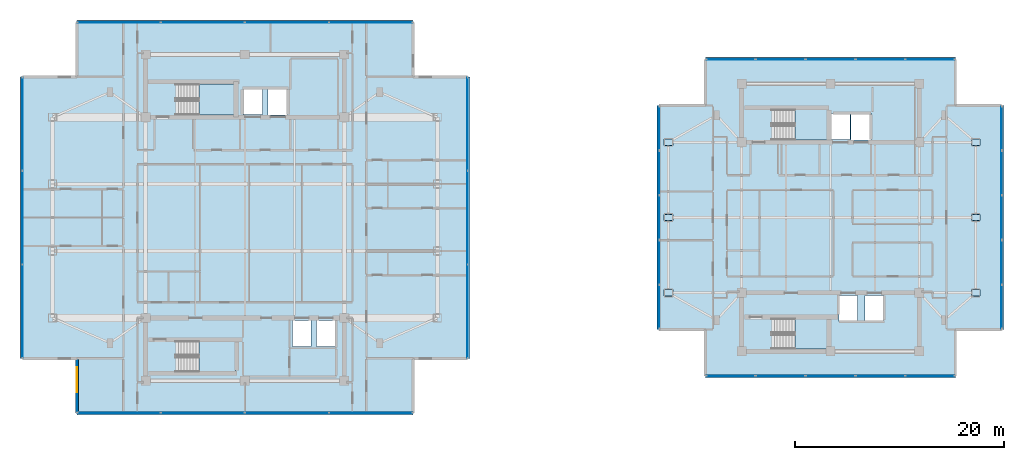
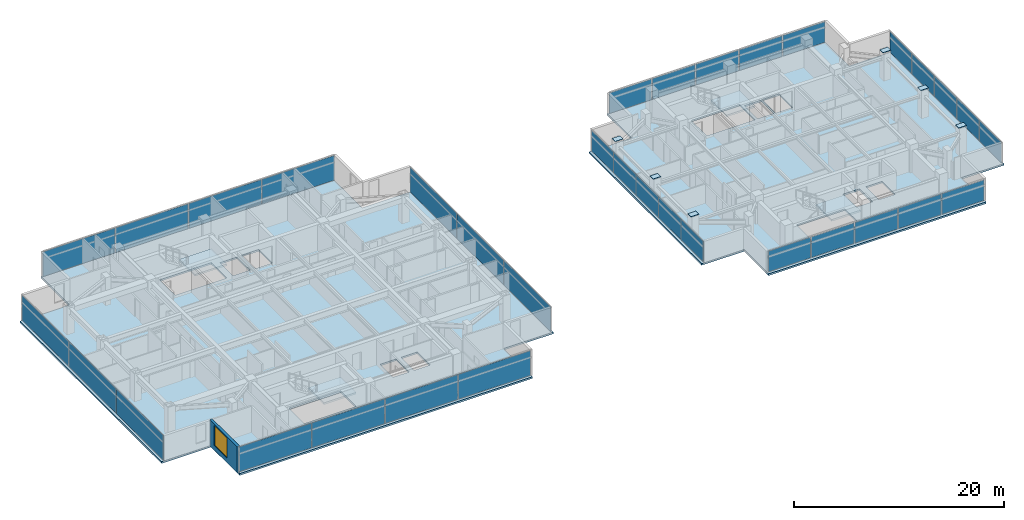
# One storey, part 10 of 21: 40 plates, 6 slabs, 1 wall, 1 window, 1 opening, 12 elements without a shape of their own.
"""IFC4 building model written with IfcOpenShell, lengths in metres."""

from ifc_helpers import new_model, si_unit, direction, frame, frame_2d, origin, origin_2d, place, context, subcontext, project, spatial, polyline, rectangle, outline, extrude, material, layer, layer_set, type_object, element, fill, aggregate, save


model = new_model("IFC4")

# Units and contexts
model_context = context("Model", 3, precision=1e-05, world=origin(), true_north=direction((0.0, 1.0)))
body_context = subcontext(model_context, "Body", "Model", "MODEL_VIEW")
ifc_project = project(units=[si_unit("LENGTHUNIT", "METRE"), si_unit("AREAUNIT", "SQUARE_METRE"), si_unit("VOLUMEUNIT", "CUBIC_METRE"), si_unit("PLANEANGLEUNIT", "RADIAN"), si_unit("MASSUNIT", "GRAM", prefix="KILO")], contexts=[model_context])

# Site, building, storey
site_placement = place(None, origin())
site = spatial("IfcSite", under=ifc_project, at=site_placement, CompositionType="ELEMENT")
building_placement = place(site_placement, origin())
building = spatial("IfcBuilding", under=site, at=building_placement, Name="Mirazonda Arch Towers", CompositionType="ELEMENT")
storey_placement = place(building_placement, frame((0.0, 0.0, 206.39990234375)))
storey = spatial("IfcBuildingStorey", under=building, at=storey_placement, Name="L59", CompositionType="ELEMENT", Elevation=206.39990234375)

# Curtain wall, plates
ifc_material_1 = material(Name="Anodised Aluminium and Low-E Glass", Category="aluminium")
curtain_wall_type_1 = type_object("IfcCurtainWallType", Name="CW-OBS-LANTERN", PredefinedType="NOTDEFINED", material=ifc_material_1)
curtain_wall_1_placement = place(storey_placement, origin())
curtain_wall_1 = element("IfcCurtainWall", 1, at=curtain_wall_1_placement, inside=storey, type_object=curtain_wall_type_1, Name="L59 T2 S Facade CW-L59-T2-S", PredefinedType="NOTDEFINED")
ifc_material_2 = material(Name="Insulated Low-E Solar Glass", Category="glass")
ifc_layer_1 = layer(ifc_material_2, 0.048095703125, Name="PAN-CW-OBS-LANTERN")
ifc_layer_set_1 = layer_set([ifc_layer_1], Name="Insulated Low-E Solar Glass")
plate_type_1 = type_object("IfcPlateType", Name="PAN-CW-OBS-LANTERN", PredefinedType="CURTAIN_PANEL", material=ifc_layer_set_1)
plate_1_placement = place(storey_placement, frame((86.02783203125, 12.861572265625, 0.090087890625), z_axis=(0.0, 0.0, 1.0), x_axis=(-1.0, 0.0, 0.0)))
plate_1 = element("IfcPlate", 2, at=plate_1_placement, type_object=plate_type_1, Name="CW-110 panel 1.1", PredefinedType="CURTAIN_PANEL", context=body_context, shape_type="SweptSolid", body=[
    extrude(rectangle(XDim=4.64013671875, YDim=0.048095703125, at=origin_2d()), origin(), (0.0, 0.0, 1.0), 2.39990234375),
])
plate_2_placement = place(storey_placement, frame((81.275146484375, 12.861572265625, 0.090087890625), z_axis=(0.0, 0.0, 1.0), x_axis=(-1.0, 0.0, 0.0)))
plate_2 = element("IfcPlate", 3, at=plate_2_placement, type_object=plate_type_1, Name="CW-110 panel 2.1", PredefinedType="CURTAIN_PANEL", context=body_context, shape_type="SweptSolid", body=[
    extrude(rectangle(XDim=4.68505859375, YDim=0.048095703125, at=origin_2d()), origin(), (0.0, 0.0, 1.0), 2.39990234375),
])
plate_3_placement = place(storey_placement, frame((76.5, 12.861572265625, 0.090087890625), z_axis=(0.0, 0.0, 1.0), x_axis=(-1.0, 0.0, 0.0)))
plate_3 = element("IfcPlate", 4, at=plate_3_placement, type_object=plate_type_1, Name="CW-110 panel 3.1", PredefinedType="CURTAIN_PANEL", context=body_context, shape_type="SweptSolid", body=[
    extrude(rectangle(XDim=4.68505859375, YDim=0.048095703125, at=origin_2d()), origin(), (0.0, 0.0, 1.0), 2.39990234375),
])
plate_4_placement = place(storey_placement, frame((71.724853515625, 12.861572265625, 0.090087890625), z_axis=(0.0, 0.0, 1.0), x_axis=(-1.0, 0.0, 0.0)))
plate_4 = element("IfcPlate", 5, at=plate_4_placement, type_object=plate_type_1, Name="CW-110 panel 4.1", PredefinedType="CURTAIN_PANEL", context=body_context, shape_type="SweptSolid", body=[
    extrude(rectangle(XDim=4.68505859375, YDim=0.048095703125, at=origin_2d()), origin(), (0.0, 0.0, 1.0), 2.39990234375),
])
plate_5_placement = place(storey_placement, frame((66.97216796875, 12.861572265625, 0.090087890625), z_axis=(0.0, 0.0, 1.0), x_axis=(-1.0, 0.0, 0.0)))
plate_5 = element("IfcPlate", 6, at=plate_5_placement, type_object=plate_type_1, Name="CW-110 panel 5.1", PredefinedType="CURTAIN_PANEL", context=body_context, shape_type="SweptSolid", body=[
    extrude(rectangle(XDim=4.64013671875, YDim=0.048095703125, at=origin_2d()), origin(), (0.0, 0.0, 1.0), 2.39990234375),
])
aggregate(curtain_wall_1, [plate_1, plate_2, plate_3, plate_4, plate_5])

curtain_wall_2_placement = place(storey_placement, origin())
curtain_wall_2 = element("IfcCurtainWall", 7, at=curtain_wall_2_placement, inside=storey, type_object=curtain_wall_type_1, Name="L59 T2 E Facade CW-L59-T2-E", PredefinedType="NOTDEFINED")
plate_6_placement = place(storey_placement, frame((92.87744140625, 19.46337890625, 0.090087890625), z_axis=(0.0, 0.0, 1.0), x_axis=(0.0, 1.0, 0.0)))
plate_6 = element("IfcPlate", 8, at=plate_6_placement, type_object=plate_type_1, Name="CW-110 panel 1.1", PredefinedType="CURTAIN_PANEL", context=body_context, shape_type="SweptSolid", body=[
    extrude(rectangle(XDim=4.14453125, YDim=0.048095703125, at=origin_2d()), origin(), (0.0, 0.0, 1.0), 2.39990234375),
])
plate_7_placement = place(storey_placement, frame((92.87744140625, 23.720458984375, 0.090087890625), z_axis=(0.0, 0.0, 1.0), x_axis=(0.0, 1.0, 0.0)))
plate_7 = element("IfcPlate", 9, at=plate_7_placement, type_object=plate_type_1, Name="CW-110 panel 2.1", PredefinedType="CURTAIN_PANEL", context=body_context, shape_type="SweptSolid", body=[
    extrude(rectangle(XDim=4.189453125, YDim=0.048095703125, at=origin_2d()), origin(), (0.0, 0.0, 1.0), 2.39990234375),
])
plate_8_placement = place(storey_placement, frame((92.87744140625, 28.0, 0.090087890625), z_axis=(0.0, 0.0, 1.0), x_axis=(0.0, 1.0, 0.0)))
plate_8 = element("IfcPlate", 10, at=plate_8_placement, type_object=plate_type_1, Name="CW-110 panel 3.1", PredefinedType="CURTAIN_PANEL", context=body_context, shape_type="SweptSolid", body=[
    extrude(rectangle(XDim=4.189453125, YDim=0.048095703125, at=origin_2d()), origin(), (0.0, 0.0, 1.0), 2.39990234375),
])
plate_9_placement = place(storey_placement, frame((92.87744140625, 32.279541015625, 0.090087890625), z_axis=(0.0, 0.0, 1.0), x_axis=(0.0, 1.0, 0.0)))
plate_9 = element("IfcPlate", 11, at=plate_9_placement, type_object=plate_type_1, Name="CW-110 panel 4.1", PredefinedType="CURTAIN_PANEL", context=body_context, shape_type="SweptSolid", body=[
    extrude(rectangle(XDim=4.189453125, YDim=0.048095703125, at=origin_2d()), origin(), (0.0, 0.0, 1.0), 2.39990234375),
])
plate_10_placement = place(storey_placement, frame((92.87744140625, 36.53662109375, 0.090087890625), z_axis=(0.0, 0.0, 1.0), x_axis=(0.0, 1.0, 0.0)))
plate_10 = element("IfcPlate", 12, at=plate_10_placement, type_object=plate_type_1, Name="CW-110 panel 5.1", PredefinedType="CURTAIN_PANEL", context=body_context, shape_type="SweptSolid", body=[
    extrude(rectangle(XDim=4.14453125, YDim=0.048095703125, at=origin_2d()), origin(), (0.0, 0.0, 1.0), 2.39990234375),
])
aggregate(curtain_wall_2, [plate_6, plate_7, plate_8, plate_9, plate_10])

curtain_wall_3_placement = place(storey_placement, origin())
curtain_wall_3 = element("IfcCurtainWall", 13, at=curtain_wall_3_placement, inside=storey, type_object=curtain_wall_type_1, Name="L59 T2 N Facade CW-L59-T2-N", PredefinedType="NOTDEFINED")
plate_11_placement = place(storey_placement, frame((66.97216796875, 43.138427734375, 0.090087890625), z_axis=(0.0, 0.0, 1.0), x_axis=(1.0, 0.0, 0.0)))
plate_11 = element("IfcPlate", 14, at=plate_11_placement, type_object=plate_type_1, Name="CW-110 panel 1.1", PredefinedType="CURTAIN_PANEL", context=body_context, shape_type="SweptSolid", body=[
    extrude(rectangle(XDim=4.64013671875, YDim=0.048095703125, at=origin_2d()), origin(), (0.0, 0.0, 1.0), 2.39990234375),
])
plate_12_placement = place(storey_placement, frame((71.724853515625, 43.138427734375, 0.090087890625), z_axis=(0.0, 0.0, 1.0), x_axis=(1.0, 0.0, 0.0)))
plate_12 = element("IfcPlate", 15, at=plate_12_placement, type_object=plate_type_1, Name="CW-110 panel 2.1", PredefinedType="CURTAIN_PANEL", context=body_context, shape_type="SweptSolid", body=[
    extrude(rectangle(XDim=4.68505859375, YDim=0.048095703125, at=origin_2d()), origin(), (0.0, 0.0, 1.0), 2.39990234375),
])
plate_13_placement = place(storey_placement, frame((76.5, 43.138427734375, 0.090087890625), z_axis=(0.0, 0.0, 1.0), x_axis=(1.0, 0.0, 0.0)))
plate_13 = element("IfcPlate", 16, at=plate_13_placement, type_object=plate_type_1, Name="CW-110 panel 3.1", PredefinedType="CURTAIN_PANEL", context=body_context, shape_type="SweptSolid", body=[
    extrude(rectangle(XDim=4.68505859375, YDim=0.048095703125, at=origin_2d()), origin(), (0.0, 0.0, 1.0), 2.39990234375),
])
plate_14_placement = place(storey_placement, frame((81.275146484375, 43.138427734375, 0.090087890625), z_axis=(0.0, 0.0, 1.0), x_axis=(1.0, 0.0, 0.0)))
plate_14 = element("IfcPlate", 17, at=plate_14_placement, type_object=plate_type_1, Name="CW-110 panel 4.1", PredefinedType="CURTAIN_PANEL", context=body_context, shape_type="SweptSolid", body=[
    extrude(rectangle(XDim=4.68505859375, YDim=0.048095703125, at=origin_2d()), origin(), (0.0, 0.0, 1.0), 2.39990234375),
])
plate_15_placement = place(storey_placement, frame((86.02783203125, 43.138427734375, 0.090087890625), z_axis=(0.0, 0.0, 1.0), x_axis=(1.0, 0.0, 0.0)))
plate_15 = element("IfcPlate", 18, at=plate_15_placement, type_object=plate_type_1, Name="CW-110 panel 5.1", PredefinedType="CURTAIN_PANEL", context=body_context, shape_type="SweptSolid", body=[
    extrude(rectangle(XDim=4.64013671875, YDim=0.048095703125, at=origin_2d()), origin(), (0.0, 0.0, 1.0), 2.39990234375),
])
aggregate(curtain_wall_3, [plate_11, plate_12, plate_13, plate_14, plate_15])

curtain_wall_4_placement = place(storey_placement, origin())
curtain_wall_4 = element("IfcCurtainWall", 19, at=curtain_wall_4_placement, inside=storey, type_object=curtain_wall_type_1, Name="L59 T2 W Facade CW-L59-T2-W", PredefinedType="NOTDEFINED")
plate_16_placement = place(storey_placement, frame((60.12255859375, 36.53662109375, 0.090087890625), z_axis=(0.0, 0.0, 1.0), x_axis=(0.0, -1.0, 0.0)))
plate_16 = element("IfcPlate", 20, at=plate_16_placement, type_object=plate_type_1, Name="CW-110 panel 1.1", PredefinedType="CURTAIN_PANEL", context=body_context, shape_type="SweptSolid", body=[
    extrude(rectangle(XDim=4.14453125, YDim=0.048095703125, at=origin_2d()), origin(), (0.0, 0.0, 1.0), 2.39990234375),
])
plate_17_placement = place(storey_placement, frame((60.12255859375, 32.279541015625, 0.090087890625), z_axis=(0.0, 0.0, 1.0), x_axis=(0.0, -1.0, 0.0)))
plate_17 = element("IfcPlate", 21, at=plate_17_placement, type_object=plate_type_1, Name="CW-110 panel 2.1", PredefinedType="CURTAIN_PANEL", context=body_context, shape_type="SweptSolid", body=[
    extrude(rectangle(XDim=4.189453125, YDim=0.048095703125, at=origin_2d()), origin(), (0.0, 0.0, 1.0), 2.39990234375),
])
plate_18_placement = place(storey_placement, frame((60.12255859375, 28.0, 0.090087890625), z_axis=(0.0, 0.0, 1.0), x_axis=(0.0, -1.0, 0.0)))
plate_18 = element("IfcPlate", 22, at=plate_18_placement, type_object=plate_type_1, Name="CW-110 panel 3.1", PredefinedType="CURTAIN_PANEL", context=body_context, shape_type="SweptSolid", body=[
    extrude(rectangle(XDim=4.189453125, YDim=0.048095703125, at=origin_2d()), origin(), (0.0, 0.0, 1.0), 2.39990234375),
])
plate_19_placement = place(storey_placement, frame((60.12255859375, 23.720458984375, 0.090087890625), z_axis=(0.0, 0.0, 1.0), x_axis=(0.0, -1.0, 0.0)))
plate_19 = element("IfcPlate", 23, at=plate_19_placement, type_object=plate_type_1, Name="CW-110 panel 4.1", PredefinedType="CURTAIN_PANEL", context=body_context, shape_type="SweptSolid", body=[
    extrude(rectangle(XDim=4.189453125, YDim=0.048095703125, at=origin_2d()), origin(), (0.0, 0.0, 1.0), 2.39990234375),
])
plate_20_placement = place(storey_placement, frame((60.12255859375, 19.46337890625, 0.090087890625), z_axis=(0.0, 0.0, 1.0), x_axis=(0.0, -1.0, 0.0)))
plate_20 = element("IfcPlate", 24, at=plate_20_placement, type_object=plate_type_1, Name="CW-110 panel 5.1", PredefinedType="CURTAIN_PANEL", context=body_context, shape_type="SweptSolid", body=[
    extrude(rectangle(XDim=4.14453125, YDim=0.048095703125, at=origin_2d()), origin(), (0.0, 0.0, 1.0), 2.39990234375),
])
aggregate(curtain_wall_4, [plate_16, plate_17, plate_18, plate_19, plate_20])

curtain_wall_type_2 = type_object("IfcCurtainWallType", Name="CW-RES-UNIT", PredefinedType="NOTDEFINED", material=ifc_material_1)
curtain_wall_5_placement = place(storey_placement, origin())
curtain_wall_5 = element("IfcCurtainWall", 25, at=curtain_wall_5_placement, inside=storey, type_object=curtain_wall_type_2, Name="L59 T1 S Facade CW-L59-T1-S", PredefinedType="NOTDEFINED")
ifc_layer_2 = layer(ifc_material_2, 0.0400390625, Name="PAN-CW-RES-UNIT")
ifc_layer_set_2 = layer_set([ifc_layer_2], Name="Insulated Low-E Solar Glass")
plate_type_2 = type_object("IfcPlateType", Name="PAN-CW-RES-UNIT", PredefinedType="CURTAIN_PANEL", material=ifc_layer_set_2)
plate_21_placement = place(storey_placement, frame((32.53759765625, 9.323974609375, 0.0751953125), z_axis=(0.0, 0.0, 1.0), x_axis=(-1.0, 0.0, 0.0)))
plate_21 = element("IfcPlate", 26, at=plate_21_placement, type_object=plate_type_2, Name="CW-104 panel 1.1", PredefinedType="CURTAIN_PANEL", context=body_context, shape_type="SweptSolid", body=[
    extrude(rectangle(XDim=7.925048828125, YDim=0.0400390625, at=origin_2d()), origin(), (0.0, 0.0, 1.0), 2.8798828125),
])
plate_22_placement = place(storey_placement, frame((24.518798828125, 9.323974609375, 0.0751953125), z_axis=(0.0, 0.0, 1.0), x_axis=(-1.0, 0.0, 0.0)))
plate_22 = element("IfcPlate", 27, at=plate_22_placement, type_object=plate_type_2, Name="CW-104 panel 2.1", PredefinedType="CURTAIN_PANEL", context=body_context, shape_type="SweptSolid", body=[
    extrude(rectangle(XDim=7.96240234375, YDim=0.0400390625, at=origin_2d()), origin(), (0.0, 0.0, 1.0), 2.8798828125),
])
plate_23_placement = place(storey_placement, frame((16.481201171875, 9.323974609375, 0.0751953125), z_axis=(0.0, 0.0, 1.0), x_axis=(-1.0, 0.0, 0.0)))
plate_23 = element("IfcPlate", 28, at=plate_23_placement, type_object=plate_type_2, Name="CW-104 panel 3.1", PredefinedType="CURTAIN_PANEL", context=body_context, shape_type="SweptSolid", body=[
    extrude(rectangle(XDim=7.96240234375, YDim=0.0400390625, at=origin_2d()), origin(), (0.0, 0.0, 1.0), 2.8798828125),
])
plate_24_placement = place(storey_placement, frame((8.46240234375, 9.323974609375, 0.0751953125), z_axis=(0.0, 0.0, 1.0), x_axis=(-1.0, 0.0, 0.0)))
plate_24 = element("IfcPlate", 29, at=plate_24_placement, type_object=plate_type_2, Name="CW-104 panel 4.1", PredefinedType="CURTAIN_PANEL", context=body_context, shape_type="SweptSolid", body=[
    extrude(rectangle(XDim=7.925048828125, YDim=0.0400390625, at=origin_2d()), origin(), (0.0, 0.0, 1.0), 2.8798828125),
])
aggregate(curtain_wall_5, [plate_21, plate_22, plate_23, plate_24])

curtain_wall_6_placement = place(storey_placement, origin())
curtain_wall_6 = element("IfcCurtainWall", 30, at=curtain_wall_6_placement, inside=storey, type_object=curtain_wall_type_2, Name="L59 T1 E Facade CW-L59-T1-E", PredefinedType="NOTDEFINED")
plate_25_placement = place(storey_placement, frame((41.7900390625, 19.044677734375, 0.0751953125), z_axis=(0.0, 0.0, 1.0), x_axis=(0.0, 1.0, 0.0)))
plate_25 = element("IfcPlate", 31, at=plate_25_placement, type_object=plate_type_2, Name="CW-104 panel 1.1", PredefinedType="CURTAIN_PANEL", context=body_context, shape_type="SweptSolid", body=[
    extrude(rectangle(XDim=8.861572265625, YDim=0.0400390625, at=origin_2d()), origin(), (0.0, 0.0, 1.0), 2.8798828125),
])
plate_26_placement = place(storey_placement, frame((41.7900390625, 28.0, 0.0751953125), z_axis=(0.0, 0.0, 1.0), x_axis=(0.0, 1.0, 0.0)))
plate_26 = element("IfcPlate", 32, at=plate_26_placement, type_object=plate_type_2, Name="CW-104 panel 2.1", PredefinedType="CURTAIN_PANEL", context=body_context, shape_type="SweptSolid", body=[
    extrude(rectangle(XDim=8.89892578125, YDim=0.0400390625, at=origin_2d()), origin(), (0.0, 0.0, 1.0), 2.8798828125),
])
plate_27_placement = place(storey_placement, frame((41.7900390625, 36.955322265625, 0.0751953125), z_axis=(0.0, 0.0, 1.0), x_axis=(0.0, 1.0, 0.0)))
plate_27 = element("IfcPlate", 33, at=plate_27_placement, type_object=plate_type_2, Name="CW-104 panel 3.1", PredefinedType="CURTAIN_PANEL", context=body_context, shape_type="SweptSolid", body=[
    extrude(rectangle(XDim=8.861572265625, YDim=0.0400390625, at=origin_2d()), origin(), (0.0, 0.0, 1.0), 2.8798828125),
])
aggregate(curtain_wall_6, [plate_25, plate_26, plate_27])

curtain_wall_7_placement = place(storey_placement, origin())
curtain_wall_7 = element("IfcCurtainWall", 34, at=curtain_wall_7_placement, inside=storey, type_object=curtain_wall_type_2, Name="L59 T1 N Facade CW-L59-T1-N", PredefinedType="NOTDEFINED")
plate_28_placement = place(storey_placement, frame((8.46240234375, 46.676025390625, 0.0751953125), z_axis=(0.0, 0.0, 1.0), x_axis=(1.0, 0.0, 0.0)))
plate_28 = element("IfcPlate", 35, at=plate_28_placement, type_object=plate_type_2, Name="CW-104 panel 1.1", PredefinedType="CURTAIN_PANEL", context=body_context, shape_type="SweptSolid", body=[
    extrude(rectangle(XDim=7.925048828125, YDim=0.0400390625, at=origin_2d()), origin(), (0.0, 0.0, 1.0), 2.8798828125),
])
plate_29_placement = place(storey_placement, frame((16.481201171875, 46.676025390625, 0.0751953125), z_axis=(0.0, 0.0, 1.0), x_axis=(1.0, 0.0, 0.0)))
plate_29 = element("IfcPlate", 36, at=plate_29_placement, type_object=plate_type_2, Name="CW-104 panel 2.1", PredefinedType="CURTAIN_PANEL", context=body_context, shape_type="SweptSolid", body=[
    extrude(rectangle(XDim=7.96240234375, YDim=0.0400390625, at=origin_2d()), origin(), (0.0, 0.0, 1.0), 2.8798828125),
])
plate_30_placement = place(storey_placement, frame((24.518798828125, 46.676025390625, 0.0751953125), z_axis=(0.0, 0.0, 1.0), x_axis=(1.0, 0.0, 0.0)))
plate_30 = element("IfcPlate", 37, at=plate_30_placement, type_object=plate_type_2, Name="CW-104 panel 3.1", PredefinedType="CURTAIN_PANEL", context=body_context, shape_type="SweptSolid", body=[
    extrude(rectangle(XDim=7.96240234375, YDim=0.0400390625, at=origin_2d()), origin(), (0.0, 0.0, 1.0), 2.8798828125),
])
plate_31_placement = place(storey_placement, frame((32.53759765625, 46.676025390625, 0.0751953125), z_axis=(0.0, 0.0, 1.0), x_axis=(1.0, 0.0, 0.0)))
plate_31 = element("IfcPlate", 38, at=plate_31_placement, type_object=plate_type_2, Name="CW-104 panel 4.1", PredefinedType="CURTAIN_PANEL", context=body_context, shape_type="SweptSolid", body=[
    extrude(rectangle(XDim=7.925048828125, YDim=0.0400390625, at=origin_2d()), origin(), (0.0, 0.0, 1.0), 2.8798828125),
])
aggregate(curtain_wall_7, [plate_28, plate_29, plate_30, plate_31])

curtain_wall_8_placement = place(storey_placement, origin())
curtain_wall_8 = element("IfcCurtainWall", 39, at=curtain_wall_8_placement, inside=storey, type_object=curtain_wall_type_2, Name="L59 T1 W Facade CW-L59-T1-W", PredefinedType="NOTDEFINED")
plate_32_placement = place(storey_placement, frame((-0.7900390625, 36.955322265625, 0.0751953125), z_axis=(0.0, 0.0, 1.0), x_axis=(0.0, -1.0, 0.0)))
plate_32 = element("IfcPlate", 40, at=plate_32_placement, type_object=plate_type_2, Name="CW-104 panel 1.1", PredefinedType="CURTAIN_PANEL", context=body_context, shape_type="SweptSolid", body=[
    extrude(rectangle(XDim=8.861572265625, YDim=0.0400390625, at=origin_2d()), origin(), (0.0, 0.0, 1.0), 2.8798828125),
])
plate_33_placement = place(storey_placement, frame((-0.7900390625, 28.0, 0.0751953125), z_axis=(0.0, 0.0, 1.0), x_axis=(0.0, -1.0, 0.0)))
plate_33 = element("IfcPlate", 41, at=plate_33_placement, type_object=plate_type_2, Name="CW-104 panel 2.1", PredefinedType="CURTAIN_PANEL", context=body_context, shape_type="SweptSolid", body=[
    extrude(rectangle(XDim=8.89892578125, YDim=0.0400390625, at=origin_2d()), origin(), (0.0, 0.0, 1.0), 2.8798828125),
])
plate_34_placement = place(storey_placement, frame((-0.7900390625, 19.044677734375, 0.0751953125), z_axis=(0.0, 0.0, 1.0), x_axis=(0.0, -1.0, 0.0)))
plate_34 = element("IfcPlate", 42, at=plate_34_placement, type_object=plate_type_2, Name="CW-104 panel 3.1", PredefinedType="CURTAIN_PANEL", context=body_context, shape_type="SweptSolid", body=[
    extrude(rectangle(XDim=8.861572265625, YDim=0.0400390625, at=origin_2d()), origin(), (0.0, 0.0, 1.0), 2.8798828125),
])
aggregate(curtain_wall_8, [plate_32, plate_33, plate_34])

# Plates
ifc_material_3 = material(Name="Steel ASTM A572 Grade 50", Category="steel")
ifc_layer_3 = layer(ifc_material_3, 0.035888671875, Name="PLATE-CAP-850x600x36")
ifc_layer_set_3 = layer_set([ifc_layer_3], Name="Steel ASTM A572 Grade 50")
plate_type_3 = type_object("IfcPlateType", Name="PLATE-CAP-850x600x36", PredefinedType="USERDEFINED", material=ifc_layer_set_3)
for number, where, z_axis, x_axis, name in (
    (43, (61.0, 20.800048828125, 3.238037109375), (0.0, 0.0, 1.0), (1.0, 0.0, 0.0), "Steel end closure plate NP-T2MC-01"),
    (44, (61.0, 28.0, 3.238037109375), (0.0, 0.0, 1.0), (1.0, 0.0, 0.0), "Steel end closure plate NP-T2MC-02"),
    (45, (61.0, 35.199951171875, 3.238037109375), (0.0, 0.0, 1.0), (1.0, 0.0, 0.0), "Steel end closure plate NP-T2MC-03"),
    (46, (90.39990234375, 20.800048828125, 3.238037109375), (0.0, 0.0, 1.0), (1.0, 0.0, 0.0), "Steel end closure plate NP-T2MC-04"),
    (47, (90.39990234375, 28.0, 3.238037109375), (0.0, 0.0, 1.0), (1.0, 0.0, 0.0), "Steel end closure plate NP-T2MC-05"),
    (48, (90.39990234375, 35.199951171875, 3.238037109375), (0.0, 0.0, 1.0), (1.0, 0.0, 0.0), "Steel end closure plate NP-T2MC-06"),
):
    element("IfcPlate", number, at=place(storey_placement, frame(where, z_axis=z_axis, x_axis=x_axis)), inside=storey, type_object=plate_type_3, Name=name, ObjectType="CAP PLATE", PredefinedType="USERDEFINED", context=body_context, shape_type="SweptSolid", body=[
        extrude(rectangle(XDim=0.85009765625, YDim=0.60009765625, at=origin_2d()), origin(), (0.0, 0.0, 1.0), 0.0400390625),
    ])

# Stair, slab
ifc_material_4 = material(Name="Concrete C40/50", Category="concrete")
stair_type = type_object("IfcStairType", Name="STAIR-CORE-1400", PredefinedType="HALF_TURN_STAIR", material=ifc_material_4)
stair_1_placement = place(storey_placement, origin())
stair_1 = element("IfcStair", 49, at=stair_1_placement, inside=storey, type_object=stair_type, Name="L59 Protected Exit Stair ST-T1N", PredefinedType="HALF_TURN_STAIR")
ifc_layer_4 = layer(ifc_material_4, 0.18994140625, Name="SLAB-LANDING-190")
ifc_layer_set_4 = layer_set([ifc_layer_4], Name="Concrete C40/50")
slab_type_1 = type_object("IfcSlabType", Name="SLAB-LANDING-190", PredefinedType="LANDING", material=ifc_layer_set_4)
slab_1_placement = place(storey_placement, frame((0.0, 0.0, 1.425048828125)))
slab_1 = element("IfcSlab", 50, at=slab_1_placement, type_object=slab_type_1, Name="ST-T1N landing 1", PredefinedType="LANDING", context=body_context, shape_type="SweptSolid", body=[
    extrude(outline(polyline([(16.090087890625, 37.820068359375), (19.60009765625, 37.820068359375), (19.60009765625, 40.760009765625), (16.090087890625, 40.760009765625), (16.090087890625, 37.820068359375)])), origin(), (0.0, 0.0, 1.0), 0.199951171875),
])
aggregate(stair_1, [slab_1])

stair_2_placement = place(storey_placement, origin())
stair_2 = element("IfcStair", 51, at=stair_2_placement, inside=storey, type_object=stair_type, Name="L59 Protected Exit Stair ST-T1S", PredefinedType="HALF_TURN_STAIR")
slab_2_placement = place(storey_placement, frame((0.0, 0.0, 1.425048828125)))
slab_2 = element("IfcSlab", 52, at=slab_2_placement, type_object=slab_type_1, Name="ST-T1S landing 1", PredefinedType="LANDING", context=body_context, shape_type="SweptSolid", body=[
    extrude(outline(polyline([(16.090087890625, 13.25), (19.60009765625, 13.25), (19.60009765625, 16.18994140625), (16.090087890625, 16.18994140625), (16.090087890625, 13.25)])), origin(), (0.0, 0.0, 1.0), 0.199951171875),
])
aggregate(stair_2, [slab_2])

stair_3_placement = place(storey_placement, origin())
stair_3 = element("IfcStair", 53, at=stair_3_placement, inside=storey, type_object=stair_type, Name="L59 Protected Exit Stair ST-T2N", PredefinedType="HALF_TURN_STAIR")
slab_3_placement = place(storey_placement, frame((0.0, 0.0, 1.425048828125)))
slab_3 = element("IfcSlab", 54, at=slab_3_placement, type_object=slab_type_1, Name="ST-T2N landing 1", PredefinedType="LANDING", context=body_context, shape_type="SweptSolid", body=[
    extrude(outline(polyline([(73.090087890625, 35.419921875), (76.22998046875, 35.419921875), (76.22998046875, 38.360107421875), (73.090087890625, 38.360107421875), (73.090087890625, 35.419921875)])), origin(), (0.0, 0.0, 1.0), 0.199951171875),
])
aggregate(stair_3, [slab_3])

stair_4_placement = place(storey_placement, origin())
stair_4 = element("IfcStair", 55, at=stair_4_placement, inside=storey, type_object=stair_type, Name="L59 Protected Exit Stair ST-T2S", PredefinedType="HALF_TURN_STAIR")
slab_4_placement = place(storey_placement, frame((0.0, 0.0, 1.425048828125)))
slab_4 = element("IfcSlab", 56, at=slab_4_placement, type_object=slab_type_1, Name="ST-T2S landing 1", PredefinedType="LANDING", context=body_context, shape_type="SweptSolid", body=[
    extrude(outline(polyline([(73.090087890625, 15.419921875), (76.22998046875, 15.419921875), (76.22998046875, 18.360107421875), (73.090087890625, 18.360107421875), (73.090087890625, 15.419921875)])), origin(), (0.0, 0.0, 1.0), 0.199951171875),
])
aggregate(stair_4, [slab_4])

# Slabs
ifc_layer_5 = layer(ifc_material_4, 0.199951171875, Name="SLAB-TWR-200")
ifc_layer_set_5 = layer_set([ifc_layer_5], Name="Concrete C40/50")
slab_type_2 = type_object("IfcSlabType", Name="SLAB-TWR-200", PredefinedType="FLOOR", material=ifc_layer_set_5)
slab_5_placement = place(storey_placement, frame((0.0, 0.0, -0.199951171875)))
element("IfcSlab", 57, at=slab_5_placement, inside=storey, type_object=slab_type_2, Name="L59 Tower 1 Floor Slab", PredefinedType="FLOOR", context=body_context, shape_type="SweptSolid", body=[
    extrude(outline(polyline([(4.425048828125, 9.10400390625), (36.574951171875, 9.10400390625), (36.574951171875, 14.5390625), (42.010009765625, 14.5390625), (42.010009765625, 41.4609375), (36.574951171875, 41.4609375), (36.574951171875, 46.89599609375), (4.425048828125, 46.89599609375), (4.425048828125, 41.4609375), (-1.010009765625, 41.4609375), (-1.010009765625, 14.5390625), (4.425048828125, 14.5390625), (4.425048828125, 9.10400390625)]), holes=[polyline([(27.360107421875, 18.139892578125), (29.139892578125, 18.139892578125), (29.139892578125, 15.659912109375), (27.360107421875, 15.659912109375), (27.360107421875, 18.139892578125)]), polyline([(25.06005859375, 18.139892578125), (26.840087890625, 18.139892578125), (26.840087890625, 15.659912109375), (25.06005859375, 15.659912109375), (25.06005859375, 18.139892578125)]), polyline([(22.7099609375, 40.389892578125), (24.590087890625, 40.389892578125), (24.590087890625, 37.81005859375), (22.7099609375, 37.81005859375), (22.7099609375, 40.389892578125)]), polyline([(20.31005859375, 37.860107421875), (20.31005859375, 40.340087890625), (22.18994140625, 40.340087890625), (22.18994140625, 37.860107421875), (20.31005859375, 37.860107421875)]), polyline([(19.60009765625, 13.25), (13.925048828125, 13.25), (13.925048828125, 16.18994140625), (19.60009765625, 16.18994140625), (19.60009765625, 13.25)]), polyline([(13.925048828125, 37.820068359375), (13.925048828125, 40.760009765625), (19.60009765625, 40.760009765625), (19.60009765625, 37.820068359375), (13.925048828125, 37.820068359375)])]), origin(), (0.0, 0.0, 1.0), 0.199951171875),
])
slab_6_placement = place(storey_placement, frame((0.0, 0.0, -0.199951171875)))
element("IfcSlab", 58, at=slab_6_placement, inside=storey, type_object=slab_type_2, Name="L59 Tower 2 Floor Slab", PredefinedType="FLOOR", context=body_context, shape_type="SweptSolid", body=[
    extrude(outline(polyline([(64.562255859375, 12.6416015625), (88.437744140625, 12.6416015625), (88.437744140625, 17.30126953125), (93.097412109375, 17.30126953125), (93.097412109375, 38.69873046875), (88.437744140625, 38.69873046875), (88.437744140625, 43.3583984375), (64.562255859375, 43.3583984375), (64.562255859375, 38.69873046875), (59.902587890625, 38.69873046875), (59.902587890625, 17.30126953125), (64.562255859375, 17.30126953125), (64.562255859375, 12.6416015625)]), holes=[polyline([(79.81005859375, 20.5400390625), (81.590087890625, 20.5400390625), (81.590087890625, 18.06005859375), (79.81005859375, 18.06005859375), (79.81005859375, 20.5400390625)]), polyline([(78.47998046875, 37.989990234375), (80.360107421875, 37.989990234375), (80.360107421875, 35.409912109375), (78.47998046875, 35.409912109375), (78.47998046875, 37.989990234375)]), polyline([(77.31005859375, 20.5400390625), (79.090087890625, 20.5400390625), (79.090087890625, 18.06005859375), (77.31005859375, 18.06005859375), (77.31005859375, 20.5400390625)]), polyline([(76.510009765625, 35.4599609375), (76.510009765625, 37.93994140625), (78.389892578125, 37.93994140625), (78.389892578125, 35.4599609375), (76.510009765625, 35.4599609375)]), polyline([(76.22998046875, 15.419921875), (70.925048828125, 15.419921875), (70.925048828125, 18.360107421875), (76.22998046875, 18.360107421875), (76.22998046875, 15.419921875)]), polyline([(70.925048828125, 35.419921875), (70.925048828125, 38.360107421875), (76.22998046875, 38.360107421875), (76.22998046875, 35.419921875), (70.925048828125, 35.419921875)])]), origin(), (0.0, 0.0, 1.0), 0.199951171875),
])

# Wall, opening, window
ifc_material_5 = material(Name="Precast Concrete C40/50", Category="concrete")
ifc_layer_6 = layer(ifc_material_5, 0.280029296875, Name="WALL-EXT-WALL-280")
ifc_layer_set_6 = layer_set([ifc_layer_6], Name="Precast Concrete C40/50")
wall_type = type_object("IfcWallType", Name="WALL-EXT-WALL-280", PredefinedType="SOLIDWALL", material=ifc_layer_set_6)
wall_placement = place(storey_placement, frame((4.425048828125, 14.5390625, 0.0), z_axis=(0.0, 0.0, 1.0), x_axis=(0.0, -1.0, 0.0)))
wall = element("IfcWall", 59, at=wall_placement, inside=storey, type_object=wall_type, Name="L59 T1 Notched SW Corner Wall WL-L59-T1-CSW", PredefinedType="SOLIDWALL", context=body_context, shape_type="SweptSolid", body=[
    extrude(rectangle(XDim=5.215087890625, YDim=0.280029296875, at=frame_2d((2.607421875, 0.0))), origin(), (0.0, 0.0, 1.0), 3.030029296875),
])
opening_placement = place(wall_placement, frame((0.85009765625, 0.0, 0.530029296875)))
opening = element("IfcOpeningElement", 60, at=opening_placement, cuts=wall, Name="Opening WN-121", PredefinedType="OPENING", context=body_context, shape_type="SweptSolid", body=[
    extrude(rectangle(XDim=2.39990234375, YDim=2.35009765625, at=frame_2d((1.199951171875, 1.175048828125))), frame((0.0, 0.14990234375, 0.0), z_axis=(0.0, -1.0, 0.0), x_axis=(1.0, 0.0, 0.0)), (0.0, 0.0, 1.0), 0.300048828125),
])
window_type = type_object("IfcWindowType", Name="WIN-PENT-2400x2350", PartitioningType="SINGLE_PANEL", PredefinedType="WINDOW", material=ifc_material_2)
window_placement = place(opening_placement, origin())
window = element("IfcWindow", 61, at=window_placement, inside=storey, type_object=window_type, Name="L59 Punched Facade Window WN-L59-T1-CSW", OverallHeight=2.35009765625, OverallWidth=2.39990234375, PartitioningType="SINGLE_PANEL", PredefinedType="WINDOW", context=body_context, shape_type="SweptSolid", body=[
    extrude(rectangle(XDim=2.39990234375, YDim=2.35009765625, at=frame_2d((1.199951171875, 1.175048828125))), frame((0.0, 0.030029296875, 0.0), z_axis=(0.0, -1.0, 0.0), x_axis=(1.0, 0.0, 0.0)), (0.0, 0.0, 1.0), 0.06005859375),
])
fill(opening, window)

save(model, "model.ifc")
